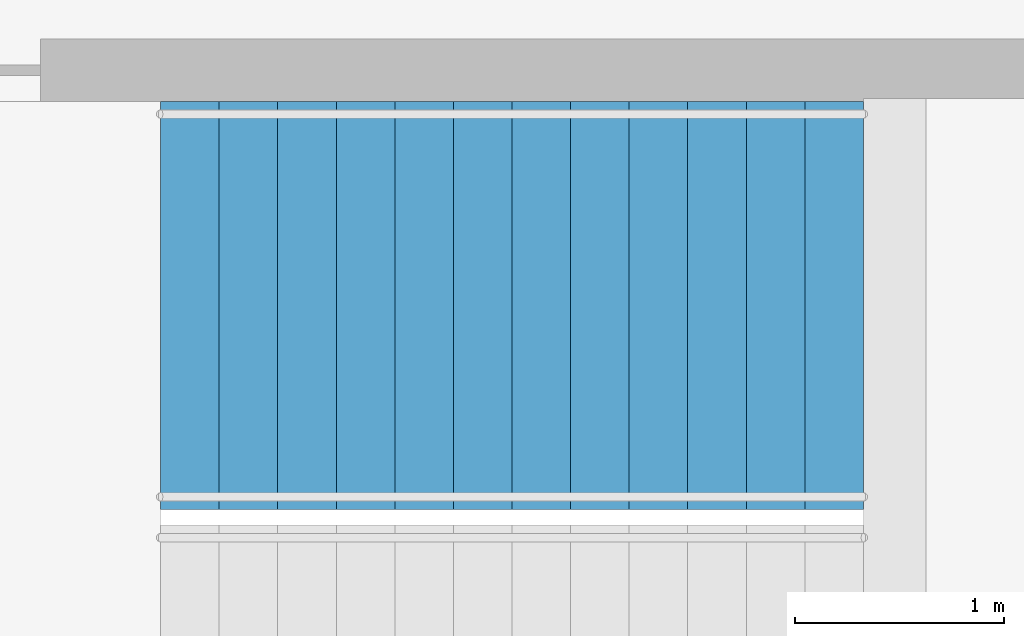
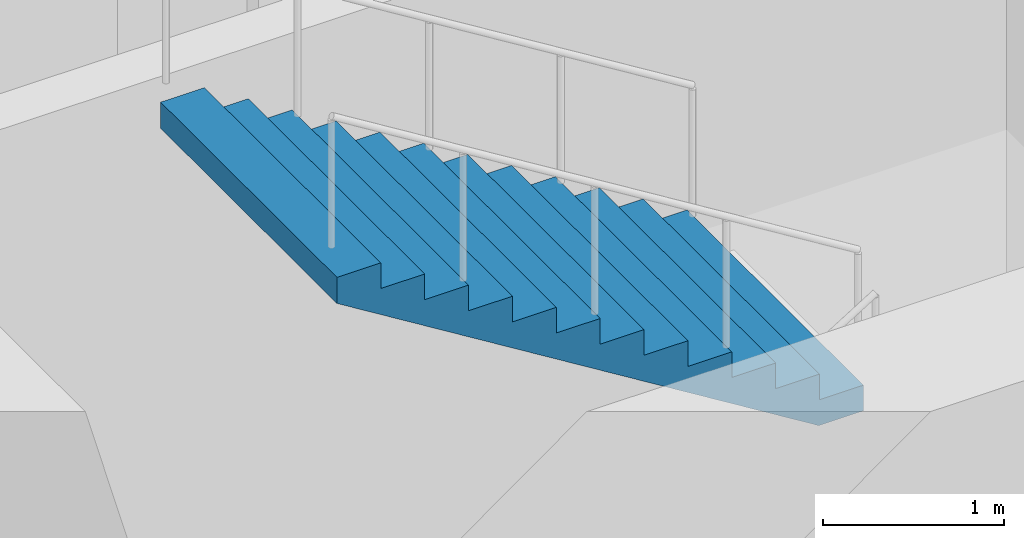
# One storey, part 20 of 32: 1 stair flight, 1 element without a shape of its own.
"""IFC4 building model written with IfcOpenShell, lengths in metres."""

import ifcopenshell
import ifcopenshell.guid

model = None  # the IFC model being written
_history = None  # IfcOwnerHistory: only IFC2X3 demands one
_inside = {}  # id of a spatial element -> (the spatial element, [elements in it])
_under = {}  # id of a project, library or spatial element -> (it, [spatial elements below it])
_declared = {}  # id of a project -> (the project, [libraries it declares])
_typed = {}  # id of a type object -> (the type object, [elements of that type])
_made_of = {}  # id of a material, layer set ... -> (it, [elements and type objects made of it])


def new_model(schema):
    """Start an empty IFC model of exactly this schema.

    Asked for "IFC4X3", IfcOpenShell would pick the latest addendum, in which some entities
    have other attributes; the version numbers below select the first issue.
    IFC2X3 requires an IfcOwnerHistory on every rooted entity: one is made here for all.
    """
    global model, _history
    if schema == "IFC4X3":
        model = ifcopenshell.file(schema_version=(4, 3, 0, 0))
    else:
        model = ifcopenshell.file(schema=schema)
    _inside.clear()
    _under.clear()
    _declared.clear()
    _typed.clear()
    _made_of.clear()
    _history = None
    if model.schema == "IFC2X3":
        org = make("IfcOrganization", Name="unknown")
        user = make(
            "IfcPersonAndOrganization",
            ThePerson=make("IfcPerson", FamilyName="unknown"),
            TheOrganization=org,
        )
        app = make(
            "IfcApplication",
            ApplicationDeveloper=org,
            Version="unknown",
            ApplicationFullName="unknown",
            ApplicationIdentifier="unknown",
        )
        _history = make(
            "IfcOwnerHistory",
            OwningUser=user,
            OwningApplication=app,
            ChangeAction="ADDED",
            CreationDate=0,
        )
    return model


def make(cls, **values):
    """One entity of the class cls with the attributes given. An attribute that is None is left unset."""
    return model.create_entity(
        cls, **{name: value for name, value in values.items() if value is not None}
    )


def rooted(cls, **values):
    """An entity with a GlobalId (a new one), such as an element, a storey or a relation."""
    return make(cls, GlobalId=ifcopenshell.guid.new(), OwnerHistory=_history, **values)


def si_unit(unit_type, name, prefix=None):
    """IfcSIUnit, for example si_unit("LENGTHUNIT", "METRE", prefix="MILLI")."""
    return make("IfcSIUnit", UnitType=unit_type, Prefix=prefix, Name=name)


def assignment(units):
    """IfcUnitAssignment: the units of a project."""
    return None if units is None else make("IfcUnitAssignment", Units=units)


def point(xyz):
    """IfcCartesianPoint."""
    return None if xyz is None else make("IfcCartesianPoint", Coordinates=xyz)


def direction(xyz):
    """IfcDirection."""
    return None if xyz is None else make("IfcDirection", DirectionRatios=xyz)


def frame(location, z_axis=None, x_axis=None):
    """IfcAxis2Placement3D, a coordinate frame: its origin and axes. An axis left out is left unset."""
    return make(
        "IfcAxis2Placement3D",
        Location=point(location),
        Axis=direction(z_axis),
        RefDirection=direction(x_axis),
    )


def origin():
    """The frame at (0, 0, 0) with its axes left unset."""
    return frame((0.0, 0.0, 0.0))


def place(relative_to, where):
    """IfcLocalPlacement: puts the frame where relative to a parent placement (None: the world)."""
    return make(
        "IfcLocalPlacement", PlacementRelTo=relative_to, RelativePlacement=where
    )


def context(
    kind, dimensions, precision=None, world=None, true_north=None, identifier=None
):
    """IfcGeometricRepresentationContext, for example the 3D "Model" context."""
    return make(
        "IfcGeometricRepresentationContext",
        ContextIdentifier=identifier,
        ContextType=kind,
        CoordinateSpaceDimension=dimensions,
        Precision=precision,
        WorldCoordinateSystem=world,
        TrueNorth=true_north,
    )


def subcontext(parent, identifier, kind, view, scale=None):
    """IfcGeometricRepresentationSubContext, for example "Body" below "Model"."""
    return make(
        "IfcGeometricRepresentationSubContext",
        ContextIdentifier=identifier,
        ContextType=kind,
        ParentContext=parent,
        TargetScale=scale,
        TargetView=view,
    )


def project(units=None, contexts=None):
    """IfcProject with its units and contexts."""
    return rooted(
        "IfcProject",
        Name="project",
        RepresentationContexts=contexts,
        UnitsInContext=assignment(units),
    )


def spatial(cls, under=None, at=None, **own):
    """A site, building, storey or space (cls), placed at a placement, below another one or the project."""
    s = rooted(cls, ObjectPlacement=at, **own)
    if under is not None:
        _under.setdefault(under.id(), (under, []))[1].append(s)
    return s


def point_list(points):
    """IfcCartesianPointList2D or 3D."""
    cls = (
        "IfcCartesianPointList2D" if len(points[0]) == 2 else "IfcCartesianPointList3D"
    )
    return make(cls, CoordList=points)


def triangles(points, corners, closed=None, point_numbers=None):
    """IfcTriangulatedFaceSet: each triangle names its three corners, points numbered from 1."""
    return make(
        "IfcTriangulatedFaceSet",
        Coordinates=point_list(points),
        Closed=closed,
        CoordIndex=corners,
        PnIndex=point_numbers,
    )


def shape(context_of_items, identifier, shape_type, items):
    """IfcShapeRepresentation: the items that make up one representation, for example the "Body"."""
    return make(
        "IfcShapeRepresentation",
        ContextOfItems=context_of_items,
        RepresentationIdentifier=identifier,
        RepresentationType=shape_type,
        Items=items,
    )


def material(Name=None, Category=None):
    """IfcMaterial."""
    return make("IfcMaterial", Name=Name, Category=Category)


def made_of(thing, what):
    """Note that an element or type object is made of a material, layer set ...; save() writes the relation."""
    if what is not None:
        _made_of.setdefault(what.id(), (what, []))[1].append(thing)
    return thing


def type_object(cls, material=None, **own):
    """A type object (cls), such as IfcWallType, which elements share."""
    return made_of(rooted(cls, **own), material)


def element(
    cls,
    number,
    at=None,
    inside=None,
    cuts=None,
    type_object=None,
    material=None,
    context=None,
    identifier="Body",
    shape_type=None,
    held_by="IfcProductDefinitionShape",
    body=None,
    shapes=None,
    **own,
):
    """One element of the class cls, such as IfcWall. Its Tag is "e" and its number.

    at: its placement. inside: the storey or other place that contains it. cuts: it is an
    opening in that element (IfcRelVoidsElement). A single representation is given by context,
    identifier, shape_type and body (its items); several are given by shapes. held_by: the class
    of the entity that holds the representations. save() writes the other relations.
    """
    e = rooted(cls, Tag="e%d" % number, ObjectPlacement=at, **own)
    if body is not None:
        shapes = [shape(context, identifier, shape_type, body)]
    if shapes is not None:
        e.Representation = make(held_by, Representations=shapes)
    if inside is not None:
        _inside.setdefault(inside.id(), (inside, []))[1].append(e)
    if cuts is not None:
        rooted(
            "IfcRelVoidsElement", RelatingBuildingElement=cuts, RelatedOpeningElement=e
        )
    if type_object is not None:
        _typed.setdefault(type_object.id(), (type_object, []))[1].append(e)
    return made_of(e, material)


def aggregate(whole, parts):
    """IfcRelAggregates: a whole, such as a stair, and the parts it consists of."""
    return rooted("IfcRelAggregates", RelatingObject=whole, RelatedObjects=parts)


def save(model, path):
    """Write the relations noted so far, then the file.

    IfcRelAggregates (storeys below a building ...), IfcRelContainedInSpatialStructure (elements
    in a storey), IfcRelDefinesByType, IfcRelAssociatesMaterial and IfcRelDeclares: one each for
    every whole, place, type object, material and project.
    """
    for whole, parts in _under.values():
        aggregate(whole, parts)
    for where, things in _inside.values():
        rooted(
            "IfcRelContainedInSpatialStructure",
            RelatedElements=things,
            RelatingStructure=where,
        )
    for kind, things in _typed.values():
        rooted("IfcRelDefinesByType", RelatedObjects=things, RelatingType=kind)
    for what, things in _made_of.values():
        rooted("IfcRelAssociatesMaterial", RelatedObjects=things, RelatingMaterial=what)
    for by, libraries in _declared.values():
        rooted("IfcRelDeclares", RelatingContext=by, RelatedDefinitions=libraries)
    model.write(path)


model = new_model("IFC4")

# Units and contexts
model_context = context("Model", 3, precision=1e-05, world=origin(), true_north=direction((0.0, 1.0)))
body_context = subcontext(model_context, "Body", "Model", "MODEL_VIEW")
ifc_project = project(units=[si_unit("LENGTHUNIT", "METRE"), si_unit("AREAUNIT", "SQUARE_METRE"), si_unit("VOLUMEUNIT", "CUBIC_METRE"), si_unit("PLANEANGLEUNIT", "RADIAN"), si_unit("MASSUNIT", "GRAM", prefix="KILO")], contexts=[model_context])

# Site, building, storey
site_placement = place(None, origin())
site = spatial("IfcSite", under=ifc_project, at=site_placement, CompositionType="ELEMENT")
building_placement = place(site_placement, origin())
building = spatial("IfcBuilding", under=site, at=building_placement, Name="Orbita Commons", CompositionType="ELEMENT")
storey_placement = place(building_placement, frame((0.0, 0.0, 140.35009765625)))
storey = spatial("IfcBuildingStorey", under=building, at=storey_placement, Name="L34", CompositionType="ELEMENT", Elevation=140.35009765625)

# Stair, stair flight
ifc_material_1 = material(Name="Precast concrete C40/50", Category="concrete")
stair_type = type_object("IfcStairType", Name="Exit stair S1 2 flights 13 risers 173", PredefinedType="HALF_TURN_STAIR", material=ifc_material_1)
stair_placement = place(storey_placement, origin())
stair = element("IfcStair", 1, at=stair_placement, inside=storey, type_object=stair_type, Name="Exit stair S1 L34", PredefinedType="HALF_TURN_STAIR")
ifc_material_2 = material(Name="Precast concrete C40/50", Category="concrete")
stair_flight_type = type_object("IfcStairFlightType", Name="Stair flight 13 risers 173 x 280", PredefinedType="STRAIGHT", material=ifc_material_2)
stair_flight_placement = place(storey_placement, frame((23.81005859375, 29.27490234375, 2.25), z_axis=(0.0, 0.0, 1.0), x_axis=(-1.0, 0.0, 0.0)))
stair_flight = element("IfcStairFlight", 2, at=stair_flight_placement, type_object=stair_flight_type, Name="S1 flight 2", NumberOfRisers=13, NumberOfTreads=12, PredefinedType="STRAIGHT", RiserHeight=0.173076923, TreadLength=0.28, context=body_context, shape_type="Tessellation", body=[
    triangles([(0.0, 0.974976, 0.0), (0.0, 0.974976, 0.021635), (0.0, 0.81248, 0.021635), (0.0, 0.81248, 0.0), (0.0, 0.649984, 0.021635), (0.0, 0.649984, 0.0), (0.0, 0.487488, 0.021635), (0.0, 0.487488, 0.0), (0.0, 0.324992, 0.021635), (0.0, 0.324992, 0.0), (0.0, 0.162496, 0.021635), (0.0, 0.162496, 0.0), (0.0, 0.0, 0.021635), (0.0, 0.0, 0.0), (0.0, -0.162496, 0.021635), (0.0, -0.162496, 0.0), (0.0, -0.324992, 0.021635), (0.0, -0.324992, 0.0), (0.0, -0.487488, 0.021635), (0.0, -0.487488, 0.0), (0.0, -0.649984, 0.021635), (0.0, -0.649984, 0.0), (0.0, -0.81248, 0.021635), (0.0, -0.81248, 0.0), (0.0, -0.974976, 0.021635), (0.0, -0.974976, 0.0), (0.0, 0.974976, 0.043269), (0.0, 0.81248, 0.043269), (0.0, 0.649984, 0.043269), (0.0, 0.487488, 0.043269), (0.0, 0.324992, 0.043269), (0.0, 0.162496, 0.043269), (0.0, 0.0, 0.043269), (0.0, -0.162496, 0.043269), (0.0, -0.324992, 0.043269), (0.0, -0.487488, 0.043269), (0.0, -0.649984, 0.043269), (0.0, -0.81248, 0.043269), (0.0, -0.974976, 0.043269), (0.0, 0.974976, 0.064904), (0.0, 0.81248, 0.064904), (0.0, 0.649984, 0.064904), (0.0, 0.487488, 0.064904), (0.0, 0.324992, 0.064904), (0.0, 0.162496, 0.064904), (0.0, 0.0, 0.064904), (0.0, -0.162496, 0.064904), (0.0, -0.324992, 0.064904), (0.0, -0.487488, 0.064904), (0.0, -0.649984, 0.064904), (0.0, -0.81248, 0.064904), (0.0, -0.974976, 0.064904), (0.0, 0.974976, 0.086538), (0.0, 0.81248, 0.086538), (0.0, 0.649984, 0.086538), (0.0, 0.487488, 0.086538), (0.0, 0.324992, 0.086538), (0.0, 0.162496, 0.086538), (0.0, 0.0, 0.086538), (0.0, -0.162496, 0.086538), (0.0, -0.324992, 0.086538), (0.0, -0.487488, 0.086538), (0.0, -0.649984, 0.086538), (0.0, -0.81248, 0.086538), (0.0, -0.974976, 0.086538), (0.0, 0.974976, 0.108173), (0.0, 0.81248, 0.108173), (0.0, 0.649984, 0.108173), (0.0, 0.487488, 0.108173), (0.0, 0.324992, 0.108173), (0.0, 0.162496, 0.108173), (0.0, 0.0, 0.108173), (0.0, -0.162496, 0.108173), (0.0, -0.324992, 0.108173), (0.0, -0.487488, 0.108173), (0.0, -0.649984, 0.108173), (0.0, -0.81248, 0.108173), (0.0, -0.974976, 0.108173), (0.0, 0.974976, 0.129808), (0.0, 0.81248, 0.129808), (0.0, 0.649984, 0.129808), (0.0, 0.487488, 0.129808), (0.0, 0.324992, 0.129808), (0.0, 0.162496, 0.129808), (0.0, 0.0, 0.129808), (0.0, -0.162496, 0.129808), (0.0, -0.324992, 0.129808), (0.0, -0.487488, 0.129808), (0.0, -0.649984, 0.129808), (0.0, -0.81248, 0.129808), (0.0, -0.974976, 0.129808), (0.0, 0.974976, 0.151442), (0.0, 0.81248, 0.151442), (0.0, 0.649984, 0.151442), (0.0, 0.487488, 0.151442), (0.0, 0.324992, 0.151442), (0.0, 0.162496, 0.151442), (0.0, 0.0, 0.151442), (0.0, -0.162496, 0.151442), (0.0, -0.324992, 0.151442), (0.0, -0.487488, 0.151442), (0.0, -0.649984, 0.151442), (0.0, -0.81248, 0.151442), (0.0, -0.974976, 0.151442), (0.0, 0.974976, 0.173077), (0.0, 0.81248, 0.173077), (0.0, 0.649984, 0.173077), (0.0, 0.487488, 0.173077), (0.0, 0.324992, 0.173077), (0.0, 0.162496, 0.173077), (0.0, 0.0, 0.173077), (0.0, -0.162496, 0.173077), (0.0, -0.324992, 0.173077), (0.0, -0.487488, 0.173077), (0.0, -0.649984, 0.173077), (0.0, -0.81248, 0.173077), (0.0, -0.974976, 0.173077), (0.28, 0.974976, 0.173077), (0.28, 0.81248, 0.173077), (0.28, 0.649984, 0.173077), (0.28, 0.487488, 0.173077), (0.28, 0.324992, 0.173077), (0.28, 0.162496, 0.173077), (0.28, 0.0, 0.173077), (0.28, -0.162496, 0.173077), (0.28, -0.324992, 0.173077), (0.28, -0.487488, 0.173077), (0.28, -0.649984, 0.173077), (0.28, -0.81248, 0.173077), (0.28, -0.974976, 0.173077), (0.28, 0.974976, 0.346154), (0.28, 0.81248, 0.346154), (0.28, 0.649984, 0.346154), (0.28, 0.487488, 0.346154), (0.28, 0.324992, 0.346154), (0.28, 0.162496, 0.346154), (0.28, 0.0, 0.346154), (0.28, -0.162496, 0.346154), (0.28, -0.324992, 0.346154), (0.28, -0.487488, 0.346154), (0.28, -0.649984, 0.346154), (0.28, -0.81248, 0.346154), (0.28, -0.974976, 0.346154), (0.56, 0.974976, 0.346154), (0.56, 0.81248, 0.346154), (0.56, 0.649984, 0.346154), (0.56, 0.487488, 0.346154), (0.56, 0.324992, 0.346154), (0.56, 0.162496, 0.346154), (0.56, 0.0, 0.346154), (0.56, -0.162496, 0.346154), (0.56, -0.324992, 0.346154), (0.56, -0.487488, 0.346154), (0.56, -0.649984, 0.346154), (0.56, -0.81248, 0.346154), (0.56, -0.974976, 0.346154), (0.56, 0.974976, 0.519231), (0.56, 0.81248, 0.519231), (0.56, 0.649984, 0.519231), (0.56, 0.487488, 0.519231), (0.56, 0.324992, 0.519231), (0.56, 0.162496, 0.519231), (0.56, 0.0, 0.519231), (0.56, -0.162496, 0.519231), (0.56, -0.324992, 0.519231), (0.56, -0.487488, 0.519231), (0.56, -0.649984, 0.519231), (0.56, -0.81248, 0.519231), (0.56, -0.974976, 0.519231), (0.84, 0.974976, 0.519231), (0.84, 0.81248, 0.519231), (0.84, 0.649984, 0.519231), (0.84, 0.487488, 0.519231), (0.84, 0.324992, 0.519231), (0.84, 0.162496, 0.519231), (0.84, 0.0, 0.519231), (0.84, -0.162496, 0.519231), (0.84, -0.324992, 0.519231), (0.84, -0.487488, 0.519231), (0.84, -0.649984, 0.519231), (0.84, -0.81248, 0.519231), (0.84, -0.974976, 0.519231), (0.84, 0.974976, 0.692308), (0.84, 0.81248, 0.692308), (0.84, 0.649984, 0.692308), (0.84, 0.487488, 0.692308), (0.84, 0.324992, 0.692308), (0.84, 0.162496, 0.692308), (0.84, 0.0, 0.692308), (0.84, -0.162496, 0.692308), (0.84, -0.324992, 0.692308), (0.84, -0.487488, 0.692308), (0.84, -0.649984, 0.692308), (0.84, -0.81248, 0.692308), (0.84, -0.974976, 0.692308), (1.12, 0.974976, 0.692308), (1.12, 0.81248, 0.692308), (1.12, 0.649984, 0.692308), (1.12, 0.487488, 0.692308), (1.12, 0.324992, 0.692308), (1.12, 0.162496, 0.692308), (1.12, 0.0, 0.692308), (1.12, -0.162496, 0.692308), (1.12, -0.324992, 0.692308), (1.12, -0.487488, 0.692308), (1.12, -0.649984, 0.692308), (1.12, -0.81248, 0.692308), (1.12, -0.974976, 0.692308), (1.12, 0.974976, 0.865385), (1.12, 0.81248, 0.865385), (1.12, 0.649984, 0.865385), (1.12, 0.487488, 0.865385), (1.12, 0.324992, 0.865385), (1.12, 0.162496, 0.865385), (1.12, 0.0, 0.865385), (1.12, -0.162496, 0.865385), (1.12, -0.324992, 0.865385), (1.12, -0.487488, 0.865385), (1.12, -0.649984, 0.865385), (1.12, -0.81248, 0.865385), (1.12, -0.974976, 0.865385), (1.4, 0.974976, 0.865385), (1.4, 0.81248, 0.865385), (1.4, 0.649984, 0.865385), (1.4, 0.487488, 0.865385), (1.4, 0.324992, 0.865385), (1.4, 0.162496, 0.865385), (1.4, 0.0, 0.865385), (1.4, -0.162496, 0.865385), (1.4, -0.324992, 0.865385), (1.4, -0.487488, 0.865385), (1.4, -0.649984, 0.865385), (1.4, -0.81248, 0.865385), (1.4, -0.974976, 0.865385), (1.4, 0.974976, 1.038462), (1.4, 0.81248, 1.038462), (1.4, 0.649984, 1.038462), (1.4, 0.487488, 1.038462), (1.4, 0.324992, 1.038462), (1.4, 0.162496, 1.038462), (1.4, 0.0, 1.038462), (1.4, -0.162496, 1.038462), (1.4, -0.324992, 1.038462), (1.4, -0.487488, 1.038462), (1.4, -0.649984, 1.038462), (1.4, -0.81248, 1.038462), (1.4, -0.974976, 1.038462), (1.68, 0.974976, 1.038462), (1.68, 0.81248, 1.038462), (1.68, 0.649984, 1.038462), (1.68, 0.487488, 1.038462), (1.68, 0.324992, 1.038462), (1.68, 0.162496, 1.038462), (1.68, 0.0, 1.038462), (1.68, -0.162496, 1.038462), (1.68, -0.324992, 1.038462), (1.68, -0.487488, 1.038462), (1.68, -0.649984, 1.038462), (1.68, -0.81248, 1.038462), (1.68, -0.974976, 1.038462), (1.68, 0.974976, 1.211538), (1.68, 0.81248, 1.211538), (1.68, 0.649984, 1.211538), (1.68, 0.487488, 1.211538), (1.68, 0.324992, 1.211538), (1.68, 0.162496, 1.211538), (1.68, 0.0, 1.211538), (1.68, -0.162496, 1.211538), (1.68, -0.324992, 1.211538), (1.68, -0.487488, 1.211538), (1.68, -0.649984, 1.211538), (1.68, -0.81248, 1.211538), (1.68, -0.974976, 1.211538), (1.96, 0.974976, 1.211538), (1.96, 0.81248, 1.211538), (1.96, 0.649984, 1.211538), (1.96, 0.487488, 1.211538), (1.96, 0.324992, 1.211538), (1.96, 0.162496, 1.211538), (1.96, 0.0, 1.211538), (1.96, -0.162496, 1.211538), (1.96, -0.324992, 1.211538), (1.96, -0.487488, 1.211538), (1.96, -0.649984, 1.211538), (1.96, -0.81248, 1.211538), (1.96, -0.974976, 1.211538), (1.96, 0.974976, 1.384615), (1.96, 0.81248, 1.384615), (1.96, 0.649984, 1.384615), (1.96, 0.487488, 1.384615), (1.96, 0.324992, 1.384615), (1.96, 0.162496, 1.384615), (1.96, 0.0, 1.384615), (1.96, -0.162496, 1.384615), (1.96, -0.324992, 1.384615), (1.96, -0.487488, 1.384615), (1.96, -0.649984, 1.384615), (1.96, -0.81248, 1.384615), (1.96, -0.974976, 1.384615), (2.24, 0.974976, 1.384615), (2.24, 0.81248, 1.384615), (2.24, 0.649984, 1.384615), (2.24, 0.487488, 1.384615), (2.24, 0.324992, 1.384615), (2.24, 0.162496, 1.384615), (2.24, 0.0, 1.384615), (2.24, -0.162496, 1.384615), (2.24, -0.324992, 1.384615), (2.24, -0.487488, 1.384615), (2.24, -0.649984, 1.384615), (2.24, -0.81248, 1.384615), (2.24, -0.974976, 1.384615), (2.24, 0.974976, 1.557692), (2.24, 0.81248, 1.557692), (2.24, 0.649984, 1.557692), (2.24, 0.487488, 1.557692), (2.24, 0.324992, 1.557692), (2.24, 0.162496, 1.557692), (2.24, 0.0, 1.557692), (2.24, -0.162496, 1.557692), (2.24, -0.324992, 1.557692), (2.24, -0.487488, 1.557692), (2.24, -0.649984, 1.557692), (2.24, -0.81248, 1.557692), (2.24, -0.974976, 1.557692), (2.52, 0.974976, 1.557692), (2.52, 0.81248, 1.557692), (2.52, 0.649984, 1.557692), (2.52, 0.487488, 1.557692), (2.52, 0.324992, 1.557692), (2.52, 0.162496, 1.557692), (2.52, 0.0, 1.557692), (2.52, -0.162496, 1.557692), (2.52, -0.324992, 1.557692), (2.52, -0.487488, 1.557692), (2.52, -0.649984, 1.557692), (2.52, -0.81248, 1.557692), (2.52, -0.974976, 1.557692), (2.52, 0.974976, 1.730769), (2.52, 0.81248, 1.730769), (2.52, 0.649984, 1.730769), (2.52, 0.487488, 1.730769), (2.52, 0.324992, 1.730769), (2.52, 0.162496, 1.730769), (2.52, 0.0, 1.730769), (2.52, -0.162496, 1.730769), (2.52, -0.324992, 1.730769), (2.52, -0.487488, 1.730769), (2.52, -0.649984, 1.730769), (2.52, -0.81248, 1.730769), (2.52, -0.974976, 1.730769), (2.8, 0.974976, 1.730769), (2.8, 0.81248, 1.730769), (2.8, 0.649984, 1.730769), (2.8, 0.487488, 1.730769), (2.8, 0.324992, 1.730769), (2.8, 0.162496, 1.730769), (2.8, 0.0, 1.730769), (2.8, -0.162496, 1.730769), (2.8, -0.324992, 1.730769), (2.8, -0.487488, 1.730769), (2.8, -0.649984, 1.730769), (2.8, -0.81248, 1.730769), (2.8, -0.974976, 1.730769), (2.8, 0.974976, 1.903846), (2.8, 0.81248, 1.903846), (2.8, 0.649984, 1.903846), (2.8, 0.487488, 1.903846), (2.8, 0.324992, 1.903846), (2.8, 0.162496, 1.903846), (2.8, 0.0, 1.903846), (2.8, -0.162496, 1.903846), (2.8, -0.324992, 1.903846), (2.8, -0.487488, 1.903846), (2.8, -0.649984, 1.903846), (2.8, -0.81248, 1.903846), (2.8, -0.974976, 1.903846), (3.08, 0.974976, 1.903846), (3.08, 0.81248, 1.903846), (3.08, 0.649984, 1.903846), (3.08, 0.487488, 1.903846), (3.08, 0.324992, 1.903846), (3.08, 0.162496, 1.903846), (3.08, 0.0, 1.903846), (3.08, -0.162496, 1.903846), (3.08, -0.324992, 1.903846), (3.08, -0.487488, 1.903846), (3.08, -0.649984, 1.903846), (3.08, -0.81248, 1.903846), (3.08, -0.974976, 1.903846), (3.08, 0.974976, 2.076923), (3.08, 0.81248, 2.076923), (3.08, 0.649984, 2.076923), (3.08, 0.487488, 2.076923), (3.08, 0.324992, 2.076923), (3.08, 0.162496, 2.076923), (3.08, 0.0, 2.076923), (3.08, -0.162496, 2.076923), (3.08, -0.324992, 2.076923), (3.08, -0.487488, 2.076923), (3.08, -0.649984, 2.076923), (3.08, -0.81248, 2.076923), (3.08, -0.974976, 2.076923), (3.36, 0.974976, 2.076923), (3.36, 0.81248, 2.076923), (3.36, 0.649984, 2.076923), (3.36, 0.487488, 2.076923), (3.36, 0.324992, 2.076923), (3.36, 0.162496, 2.076923), (3.36, 0.0, 2.076923), (3.36, -0.162496, 2.076923), (3.36, -0.324992, 2.076923), (3.36, -0.487488, 2.076923), (3.36, -0.649984, 2.076923), (3.36, -0.81248, 2.076923), (3.36, -0.974976, 2.076923), (3.36, 0.974976, 2.054895), (3.36, 0.81248, 2.054895), (3.36, 0.649984, 2.054895), (3.36, 0.487488, 2.054895), (3.36, 0.324992, 2.054895), (3.36, 0.162496, 2.054895), (3.36, 0.0, 2.054895), (3.36, -0.162496, 2.054895), (3.36, -0.324992, 2.054895), (3.36, -0.487488, 2.054895), (3.36, -0.649984, 2.054895), (3.36, -0.81248, 2.054895), (3.36, -0.974976, 2.054895), (3.36, 0.974976, 2.032866), (3.36, 0.81248, 2.032866), (3.36, 0.649984, 2.032866), (3.36, 0.487488, 2.032866), (3.36, 0.324992, 2.032866), (3.36, 0.162496, 2.032866), (3.36, 0.0, 2.032866), (3.36, -0.162496, 2.032866), (3.36, -0.324992, 2.032866), (3.36, -0.487488, 2.032866), (3.36, -0.649984, 2.032866), (3.36, -0.81248, 2.032866), (3.36, -0.974976, 2.032866), (3.36, 0.974976, 2.010837), (3.36, 0.81248, 2.010837), (3.36, 0.649984, 2.010837), (3.36, 0.487488, 2.010837), (3.36, 0.324992, 2.010837), (3.36, 0.162496, 2.010837), (3.36, 0.0, 2.010837), (3.36, -0.162496, 2.010837), (3.36, -0.324992, 2.010837), (3.36, -0.487488, 2.010837), (3.36, -0.649984, 2.010837), (3.36, -0.81248, 2.010837), (3.36, -0.974976, 2.010837), (3.36, 0.974976, 1.988809), (3.36, 0.81248, 1.988809), (3.36, 0.649984, 1.988809), (3.36, 0.487488, 1.988809), (3.36, 0.324992, 1.988809), (3.36, 0.162496, 1.988809), (3.36, 0.0, 1.988809), (3.36, -0.162496, 1.988809), (3.36, -0.324992, 1.988809), (3.36, -0.487488, 1.988809), (3.36, -0.649984, 1.988809), (3.36, -0.81248, 1.988809), (3.36, -0.974976, 1.988809), (3.36, 0.974976, 1.96678), (3.36, 0.81248, 1.96678), (3.36, 0.649984, 1.96678), (3.36, 0.487488, 1.96678), (3.36, 0.324992, 1.96678), (3.36, 0.162496, 1.96678), (3.36, 0.0, 1.96678), (3.36, -0.162496, 1.96678), (3.36, -0.324992, 1.96678), (3.36, -0.487488, 1.96678), (3.36, -0.649984, 1.96678), (3.36, -0.81248, 1.96678), (3.36, -0.974976, 1.96678), (3.36, 0.974976, 1.944752), (3.36, 0.81248, 1.944752), (3.36, 0.649984, 1.944752), (3.36, 0.487488, 1.944752), (3.36, 0.324992, 1.944752), (3.36, 0.162496, 1.944752), (3.36, 0.0, 1.944752), (3.36, -0.162496, 1.944752), (3.36, -0.324992, 1.944752), (3.36, -0.487488, 1.944752), (3.36, -0.649984, 1.944752), (3.36, -0.81248, 1.944752), (3.36, -0.974976, 1.944752), (3.36, 0.974976, 1.922723), (3.36, 0.81248, 1.922723), (3.36, 0.649984, 1.922723), (3.36, 0.487488, 1.922723), (3.36, 0.324992, 1.922723), (3.36, 0.162496, 1.922723), (3.36, 0.0, 1.922723), (3.36, -0.162496, 1.922723), (3.36, -0.324992, 1.922723), (3.36, -0.487488, 1.922723), (3.36, -0.649984, 1.922723), (3.36, -0.81248, 1.922723), (3.36, -0.974976, 1.922723), (3.36, 0.974976, 1.900695), (3.36, 0.81248, 1.900695), (3.36, 0.649984, 1.900695), (3.36, 0.487488, 1.900695), (3.36, 0.324992, 1.900695), (3.36, 0.162496, 1.900695), (3.36, 0.0, 1.900695), (3.36, -0.162496, 1.900695), (3.36, -0.324992, 1.900695), (3.36, -0.487488, 1.900695), (3.36, -0.649984, 1.900695), (3.36, -0.81248, 1.900695), (3.36, -0.974976, 1.900695), (0.285099, 0.974976, 0.0), (0.285099, 0.81248, 0.0), (0.285099, 0.649984, 0.0), (0.285099, 0.487488, 0.0), (0.285099, 0.324992, 0.0), (0.285099, 0.162496, 0.0), (0.285099, 0.0, 0.0), (0.285099, -0.162496, 0.0), (0.285099, -0.324992, 0.0), (0.285099, -0.487488, 0.0), (0.285099, -0.649984, 0.0), (0.285099, -0.81248, 0.0), (0.285099, -0.974976, 0.0)], [[3, 2, 1], [4, 3, 1], [5, 3, 4], [6, 5, 4], [7, 5, 6], [8, 7, 6], [9, 7, 8], [10, 9, 8], [11, 9, 10], [12, 11, 10], [13, 11, 12], [14, 13, 12], [15, 13, 14], [16, 15, 14], [17, 15, 16], [18, 17, 16], [19, 17, 18], [20, 19, 18], [21, 19, 20], [22, 21, 20], [23, 21, 22], [24, 23, 22], [25, 23, 24], [26, 25, 24], [28, 27, 2], [3, 28, 2], [29, 28, 3], [5, 29, 3], [30, 29, 5], [7, 30, 5], [31, 30, 7], [9, 31, 7], [32, 31, 9], [11, 32, 9], [33, 32, 11], [13, 33, 11], [34, 33, 13], [15, 34, 13], [35, 34, 15], [17, 35, 15], [36, 35, 17], [19, 36, 17], [37, 36, 19], [21, 37, 19], [38, 37, 21], [23, 38, 21], [39, 38, 23], [25, 39, 23], [41, 40, 27], [28, 41, 27], [42, 41, 28], [29, 42, 28], [43, 42, 29], [30, 43, 29], [44, 43, 30], [31, 44, 30], [45, 44, 31], [32, 45, 31], [46, 45, 32], [33, 46, 32], [47, 46, 33], [34, 47, 33], [48, 47, 34], [35, 48, 34], [49, 48, 35], [36, 49, 35], [50, 49, 36], [37, 50, 36], [51, 50, 37], [38, 51, 37], [52, 51, 38], [39, 52, 38], [54, 53, 40], [41, 54, 40], [55, 54, 41], [42, 55, 41], [56, 55, 42], [43, 56, 42], [57, 56, 43], [44, 57, 43], [58, 57, 44], [45, 58, 44], [59, 58, 45], [46, 59, 45], [60, 59, 46], [47, 60, 46], [61, 60, 47], [48, 61, 47], [62, 61, 48], [49, 62, 48], [63, 62, 49], [50, 63, 49], [64, 63, 50], [51, 64, 50], [65, 64, 51], [52, 65, 51], [67, 66, 53], [54, 67, 53], [68, 67, 54], [55, 68, 54], [69, 68, 55], [56, 69, 55], [70, 69, 56], [57, 70, 56], [71, 70, 57], [58, 71, 57], [72, 71, 58], [59, 72, 58], [73, 72, 59], [60, 73, 59], [74, 73, 60], [61, 74, 60], [75, 74, 61], [62, 75, 61], [76, 75, 62], [63, 76, 62], [77, 76, 63], [64, 77, 63], [78, 77, 64], [65, 78, 64], [80, 79, 66], [67, 80, 66], [81, 80, 67], [68, 81, 67], [82, 81, 68], [69, 82, 68], [83, 82, 69], [70, 83, 69], [84, 83, 70], [71, 84, 70], [85, 84, 71], [72, 85, 71], [86, 85, 72], [73, 86, 72], [87, 86, 73], [74, 87, 73], [88, 87, 74], [75, 88, 74], [89, 88, 75], [76, 89, 75], [90, 89, 76], [77, 90, 76], [91, 90, 77], [78, 91, 77], [93, 92, 79], [80, 93, 79], [94, 93, 80], [81, 94, 80], [95, 94, 81], [82, 95, 81], [96, 95, 82], [83, 96, 82], [97, 96, 83], [84, 97, 83], [98, 97, 84], [85, 98, 84], [99, 98, 85], [86, 99, 85], [100, 99, 86], [87, 100, 86], [101, 100, 87], [88, 101, 87], [102, 101, 88], [89, 102, 88], [103, 102, 89], [90, 103, 89], [104, 103, 90], [91, 104, 90], [106, 105, 92], [93, 106, 92], [107, 106, 93], [94, 107, 93], [108, 107, 94], [95, 108, 94], [109, 108, 95], [96, 109, 95], [110, 109, 96], [97, 110, 96], [111, 110, 97], [98, 111, 97], [112, 111, 98], [99, 112, 98], [113, 112, 99], [100, 113, 99], [114, 113, 100], [101, 114, 100], [115, 114, 101], [102, 115, 101], [116, 115, 102], [103, 116, 102], [117, 116, 103], [104, 117, 103], [119, 118, 105], [106, 119, 105], [120, 119, 106], [107, 120, 106], [121, 120, 107], [108, 121, 107], [122, 121, 108], [109, 122, 108], [123, 122, 109], [110, 123, 109], [124, 123, 110], [111, 124, 110], [125, 124, 111], [112, 125, 111], [126, 125, 112], [113, 126, 112], [127, 126, 113], [114, 127, 113], [128, 127, 114], [115, 128, 114], [129, 128, 115], [116, 129, 115], [130, 129, 116], [117, 130, 116], [132, 131, 118], [119, 132, 118], [133, 132, 119], [120, 133, 119], [134, 133, 120], [121, 134, 120], [135, 134, 121], [122, 135, 121], [136, 135, 122], [123, 136, 122], [137, 136, 123], [124, 137, 123], [138, 137, 124], [125, 138, 124], [139, 138, 125], [126, 139, 125], [140, 139, 126], [127, 140, 126], [141, 140, 127], [128, 141, 127], [142, 141, 128], [129, 142, 128], [143, 142, 129], [130, 143, 129], [145, 144, 131], [132, 145, 131], [146, 145, 132], [133, 146, 132], [147, 146, 133], [134, 147, 133], [148, 147, 134], [135, 148, 134], [149, 148, 135], [136, 149, 135], [150, 149, 136], [137, 150, 136], [151, 150, 137], [138, 151, 137], [152, 151, 138], [139, 152, 138], [153, 152, 139], [140, 153, 139], [154, 153, 140], [141, 154, 140], [155, 154, 141], [142, 155, 141], [156, 155, 142], [143, 156, 142], [158, 157, 144], [145, 158, 144], [159, 158, 145], [146, 159, 145], [160, 159, 146], [147, 160, 146], [161, 160, 147], [148, 161, 147], [162, 161, 148], [149, 162, 148], [163, 162, 149], [150, 163, 149], [164, 163, 150], [151, 164, 150], [165, 164, 151], [152, 165, 151], [166, 165, 152], [153, 166, 152], [167, 166, 153], [154, 167, 153], [168, 167, 154], [155, 168, 154], [169, 168, 155], [156, 169, 155], [171, 170, 157], [158, 171, 157], [172, 171, 158], [159, 172, 158], [173, 172, 159], [160, 173, 159], [174, 173, 160], [161, 174, 160], [175, 174, 161], [162, 175, 161], [176, 175, 162], [163, 176, 162], [177, 176, 163], [164, 177, 163], [178, 177, 164], [165, 178, 164], [179, 178, 165], [166, 179, 165], [180, 179, 166], [167, 180, 166], [181, 180, 167], [168, 181, 167], [182, 181, 168], [169, 182, 168], [184, 183, 170], [171, 184, 170], [185, 184, 171], [172, 185, 171], [186, 185, 172], [173, 186, 172], [187, 186, 173], [174, 187, 173], [188, 187, 174], [175, 188, 174], [189, 188, 175], [176, 189, 175], [190, 189, 176], [177, 190, 176], [191, 190, 177], [178, 191, 177], [192, 191, 178], [179, 192, 178], [193, 192, 179], [180, 193, 179], [194, 193, 180], [181, 194, 180], [195, 194, 181], [182, 195, 181], [197, 196, 183], [184, 197, 183], [198, 197, 184], [185, 198, 184], [199, 198, 185], [186, 199, 185], [200, 199, 186], [187, 200, 186], [201, 200, 187], [188, 201, 187], [202, 201, 188], [189, 202, 188], [203, 202, 189], [190, 203, 189], [204, 203, 190], [191, 204, 190], [205, 204, 191], [192, 205, 191], [206, 205, 192], [193, 206, 192], [207, 206, 193], [194, 207, 193], [208, 207, 194], [195, 208, 194], [210, 209, 196], [197, 210, 196], [211, 210, 197], [198, 211, 197], [212, 211, 198], [199, 212, 198], [213, 212, 199], [200, 213, 199], [214, 213, 200], [201, 214, 200], [215, 214, 201], [202, 215, 201], [216, 215, 202], [203, 216, 202], [217, 216, 203], [204, 217, 203], [218, 217, 204], [205, 218, 204], [219, 218, 205], [206, 219, 205], [220, 219, 206], [207, 220, 206], [221, 220, 207], [208, 221, 207], [223, 222, 209], [210, 223, 209], [224, 223, 210], [211, 224, 210], [225, 224, 211], [212, 225, 211], [226, 225, 212], [213, 226, 212], [227, 226, 213], [214, 227, 213], [228, 227, 214], [215, 228, 214], [229, 228, 215], [216, 229, 215], [230, 229, 216], [217, 230, 216], [231, 230, 217], [218, 231, 217], [232, 231, 218], [219, 232, 218], [233, 232, 219], [220, 233, 219], [234, 233, 220], [221, 234, 220], [236, 235, 222], [223, 236, 222], [237, 236, 223], [224, 237, 223], [238, 237, 224], [225, 238, 224], [239, 238, 225], [226, 239, 225], [240, 239, 226], [227, 240, 226], [241, 240, 227], [228, 241, 227], [242, 241, 228], [229, 242, 228], [243, 242, 229], [230, 243, 229], [244, 243, 230], [231, 244, 230], [245, 244, 231], [232, 245, 231], [246, 245, 232], [233, 246, 232], [247, 246, 233], [234, 247, 233], [249, 248, 235], [236, 249, 235], [250, 249, 236], [237, 250, 236], [251, 250, 237], [238, 251, 237], [252, 251, 238], [239, 252, 238], [253, 252, 239], [240, 253, 239], [254, 253, 240], [241, 254, 240], [255, 254, 241], [242, 255, 241], [256, 255, 242], [243, 256, 242], [257, 256, 243], [244, 257, 243], [258, 257, 244], [245, 258, 244], [259, 258, 245], [246, 259, 245], [260, 259, 246], [247, 260, 246], [262, 261, 248], [249, 262, 248], [263, 262, 249], [250, 263, 249], [264, 263, 250], [251, 264, 250], [265, 264, 251], [252, 265, 251], [266, 265, 252], [253, 266, 252], [267, 266, 253], [254, 267, 253], [268, 267, 254], [255, 268, 254], [269, 268, 255], [256, 269, 255], [270, 269, 256], [257, 270, 256], [271, 270, 257], [258, 271, 257], [272, 271, 258], [259, 272, 258], [273, 272, 259], [260, 273, 259], [275, 274, 261], [262, 275, 261], [276, 275, 262], [263, 276, 262], [277, 276, 263], [264, 277, 263], [278, 277, 264], [265, 278, 264], [279, 278, 265], [266, 279, 265], [280, 279, 266], [267, 280, 266], [281, 280, 267], [268, 281, 267], [282, 281, 268], [269, 282, 268], [283, 282, 269], [270, 283, 269], [284, 283, 270], [271, 284, 270], [285, 284, 271], [272, 285, 271], [286, 285, 272], [273, 286, 272], [288, 287, 274], [275, 288, 274], [289, 288, 275], [276, 289, 275], [290, 289, 276], [277, 290, 276], [291, 290, 277], [278, 291, 277], [292, 291, 278], [279, 292, 278], [293, 292, 279], [280, 293, 279], [294, 293, 280], [281, 294, 280], [295, 294, 281], [282, 295, 281], [296, 295, 282], [283, 296, 282], [297, 296, 283], [284, 297, 283], [298, 297, 284], [285, 298, 284], [299, 298, 285], [286, 299, 285], [301, 300, 287], [288, 301, 287], [302, 301, 288], [289, 302, 288], [303, 302, 289], [290, 303, 289], [304, 303, 290], [291, 304, 290], [305, 304, 291], [292, 305, 291], [306, 305, 292], [293, 306, 292], [307, 306, 293], [294, 307, 293], [308, 307, 294], [295, 308, 294], [309, 308, 295], [296, 309, 295], [310, 309, 296], [297, 310, 296], [311, 310, 297], [298, 311, 297], [312, 311, 298], [299, 312, 298], [314, 313, 300], [301, 314, 300], [315, 314, 301], [302, 315, 301], [316, 315, 302], [303, 316, 302], [317, 316, 303], [304, 317, 303], [318, 317, 304], [305, 318, 304], [319, 318, 305], [306, 319, 305], [320, 319, 306], [307, 320, 306], [321, 320, 307], [308, 321, 307], [322, 321, 308], [309, 322, 308], [323, 322, 309], [310, 323, 309], [324, 323, 310], [311, 324, 310], [325, 324, 311], [312, 325, 311], [327, 326, 313], [314, 327, 313], [328, 327, 314], [315, 328, 314], [329, 328, 315], [316, 329, 315], [330, 329, 316], [317, 330, 316], [331, 330, 317], [318, 331, 317], [332, 331, 318], [319, 332, 318], [333, 332, 319], [320, 333, 319], [334, 333, 320], [321, 334, 320], [335, 334, 321], [322, 335, 321], [336, 335, 322], [323, 336, 322], [337, 336, 323], [324, 337, 323], [338, 337, 324], [325, 338, 324], [340, 339, 326], [327, 340, 326], [341, 340, 327], [328, 341, 327], [342, 341, 328], [329, 342, 328], [343, 342, 329], [330, 343, 329], [344, 343, 330], [331, 344, 330], [345, 344, 331], [332, 345, 331], [346, 345, 332], [333, 346, 332], [347, 346, 333], [334, 347, 333], [348, 347, 334], [335, 348, 334], [349, 348, 335], [336, 349, 335], [350, 349, 336], [337, 350, 336], [351, 350, 337], [338, 351, 337], [353, 352, 339], [340, 353, 339], [354, 353, 340], [341, 354, 340], [355, 354, 341], [342, 355, 341], [356, 355, 342], [343, 356, 342], [357, 356, 343], [344, 357, 343], [358, 357, 344], [345, 358, 344], [359, 358, 345], [346, 359, 345], [360, 359, 346], [347, 360, 346], [361, 360, 347], [348, 361, 347], [362, 361, 348], [349, 362, 348], [363, 362, 349], [350, 363, 349], [364, 363, 350], [351, 364, 350], [366, 365, 352], [353, 366, 352], [367, 366, 353], [354, 367, 353], [368, 367, 354], [355, 368, 354], [369, 368, 355], [356, 369, 355], [370, 369, 356], [357, 370, 356], [371, 370, 357], [358, 371, 357], [372, 371, 358], [359, 372, 358], [373, 372, 359], [360, 373, 359], [374, 373, 360], [361, 374, 360], [375, 374, 361], [362, 375, 361], [376, 375, 362], [363, 376, 362], [377, 376, 363], [364, 377, 363], [379, 378, 365], [366, 379, 365], [380, 379, 366], [367, 380, 366], [381, 380, 367], [368, 381, 367], [382, 381, 368], [369, 382, 368], [383, 382, 369], [370, 383, 369], [384, 383, 370], [371, 384, 370], [385, 384, 371], [372, 385, 371], [386, 385, 372], [373, 386, 372], [387, 386, 373], [374, 387, 373], [388, 387, 374], [375, 388, 374], [389, 388, 375], [376, 389, 375], [390, 389, 376], [377, 390, 376], [392, 391, 378], [379, 392, 378], [393, 392, 379], [380, 393, 379], [394, 393, 380], [381, 394, 380], [395, 394, 381], [382, 395, 381], [396, 395, 382], [383, 396, 382], [397, 396, 383], [384, 397, 383], [398, 397, 384], [385, 398, 384], [399, 398, 385], [386, 399, 385], [400, 399, 386], [387, 400, 386], [401, 400, 387], [388, 401, 387], [402, 401, 388], [389, 402, 388], [403, 402, 389], [390, 403, 389], [405, 404, 391], [392, 405, 391], [406, 405, 392], [393, 406, 392], [407, 406, 393], [394, 407, 393], [408, 407, 394], [395, 408, 394], [409, 408, 395], [396, 409, 395], [410, 409, 396], [397, 410, 396], [411, 410, 397], [398, 411, 397], [412, 411, 398], [399, 412, 398], [413, 412, 399], [400, 413, 399], [414, 413, 400], [401, 414, 400], [415, 414, 401], [402, 415, 401], [416, 415, 402], [403, 416, 402], [418, 417, 404], [405, 418, 404], [419, 418, 405], [406, 419, 405], [420, 419, 406], [407, 420, 406], [421, 420, 407], [408, 421, 407], [422, 421, 408], [409, 422, 408], [423, 422, 409], [410, 423, 409], [424, 423, 410], [411, 424, 410], [425, 424, 411], [412, 425, 411], [426, 425, 412], [413, 426, 412], [427, 426, 413], [414, 427, 413], [428, 427, 414], [415, 428, 414], [429, 428, 415], [416, 429, 415], [431, 430, 417], [418, 431, 417], [432, 431, 418], [419, 432, 418], [433, 432, 419], [420, 433, 419], [434, 433, 420], [421, 434, 420], [435, 434, 421], [422, 435, 421], [436, 435, 422], [423, 436, 422], [437, 436, 423], [424, 437, 423], [438, 437, 424], [425, 438, 424], [439, 438, 425], [426, 439, 425], [440, 439, 426], [427, 440, 426], [441, 440, 427], [428, 441, 427], [442, 441, 428], [429, 442, 428], [444, 443, 430], [431, 444, 430], [445, 444, 431], [432, 445, 431], [446, 445, 432], [433, 446, 432], [447, 446, 433], [434, 447, 433], [448, 447, 434], [435, 448, 434], [449, 448, 435], [436, 449, 435], [450, 449, 436], [437, 450, 436], [451, 450, 437], [438, 451, 437], [452, 451, 438], [439, 452, 438], [453, 452, 439], [440, 453, 439], [454, 453, 440], [441, 454, 440], [455, 454, 441], [442, 455, 441], [457, 456, 443], [444, 457, 443], [458, 457, 444], [445, 458, 444], [459, 458, 445], [446, 459, 445], [460, 459, 446], [447, 460, 446], [461, 460, 447], [448, 461, 447], [462, 461, 448], [449, 462, 448], [463, 462, 449], [450, 463, 449], [464, 463, 450], [451, 464, 450], [465, 464, 451], [452, 465, 451], [466, 465, 452], [453, 466, 452], [467, 466, 453], [454, 467, 453], [468, 467, 454], [455, 468, 454], [470, 469, 456], [457, 470, 456], [471, 470, 457], [458, 471, 457], [472, 471, 458], [459, 472, 458], [473, 472, 459], [460, 473, 459], [474, 473, 460], [461, 474, 460], [475, 474, 461], [462, 475, 461], [476, 475, 462], [463, 476, 462], [477, 476, 463], [464, 477, 463], [478, 477, 464], [465, 478, 464], [479, 478, 465], [466, 479, 465], [480, 479, 466], [467, 480, 466], [481, 480, 467], [468, 481, 467], [483, 482, 469], [470, 483, 469], [484, 483, 470], [471, 484, 470], [485, 484, 471], [472, 485, 471], [486, 485, 472], [473, 486, 472], [487, 486, 473], [474, 487, 473], [488, 487, 474], [475, 488, 474], [489, 488, 475], [476, 489, 475], [490, 489, 476], [477, 490, 476], [491, 490, 477], [478, 491, 477], [492, 491, 478], [479, 492, 478], [493, 492, 479], [480, 493, 479], [494, 493, 480], [481, 494, 480], [496, 495, 482], [483, 496, 482], [497, 496, 483], [484, 497, 483], [498, 497, 484], [485, 498, 484], [499, 498, 485], [486, 499, 485], [500, 499, 486], [487, 500, 486], [501, 500, 487], [488, 501, 487], [502, 501, 488], [489, 502, 488], [503, 502, 489], [490, 503, 489], [504, 503, 490], [491, 504, 490], [505, 504, 491], [492, 505, 491], [506, 505, 492], [493, 506, 492], [507, 506, 493], [494, 507, 493], [509, 508, 495], [496, 509, 495], [510, 509, 496], [497, 510, 496], [511, 510, 497], [498, 511, 497], [512, 511, 498], [499, 512, 498], [513, 512, 499], [500, 513, 499], [514, 513, 500], [501, 514, 500], [515, 514, 501], [502, 515, 501], [516, 515, 502], [503, 516, 502], [517, 516, 503], [504, 517, 503], [518, 517, 504], [505, 518, 504], [519, 518, 505], [506, 519, 505], [520, 519, 506], [507, 520, 506], [522, 521, 508], [509, 522, 508], [523, 522, 509], [510, 523, 509], [524, 523, 510], [511, 524, 510], [525, 524, 511], [512, 525, 511], [526, 525, 512], [513, 526, 512], [527, 526, 513], [514, 527, 513], [528, 527, 514], [515, 528, 514], [529, 528, 515], [516, 529, 515], [530, 529, 516], [517, 530, 516], [531, 530, 517], [518, 531, 517], [532, 531, 518], [519, 532, 518], [533, 532, 519], [520, 533, 519], [4, 1, 521], [522, 4, 521], [6, 4, 522], [523, 6, 522], [8, 6, 523], [524, 8, 523], [10, 8, 524], [525, 10, 524], [12, 10, 525], [526, 12, 525], [14, 12, 526], [527, 14, 526], [16, 14, 527], [528, 16, 527], [18, 16, 528], [529, 18, 528], [20, 18, 529], [530, 20, 529], [22, 20, 530], [531, 22, 530], [24, 22, 531], [532, 24, 531], [26, 24, 532], [533, 26, 532], [508, 521, 1], [26, 533, 520], [495, 508, 1], [26, 520, 507], [482, 495, 1], [26, 507, 494], [469, 482, 1], [26, 494, 481], [456, 469, 1], [26, 481, 468], [443, 456, 1], [26, 468, 455], [430, 443, 1], [26, 455, 442], [417, 430, 1], [26, 442, 429], [391, 404, 417], [429, 416, 403], [378, 391, 417], [429, 403, 390], [352, 365, 378], [390, 377, 364], [352, 378, 417], [429, 390, 364], [326, 339, 352], [364, 351, 338], [326, 352, 417], [429, 364, 338], [300, 313, 326], [338, 325, 312], [300, 326, 417], [429, 338, 312], [274, 287, 300], [312, 299, 286], [274, 300, 417], [429, 312, 286], [248, 261, 274], [286, 273, 260], [248, 274, 417], [429, 286, 260], [222, 235, 248], [260, 247, 234], [222, 248, 417], [429, 260, 234], [196, 209, 222], [234, 221, 208], [196, 222, 417], [429, 234, 208], [170, 183, 196], [208, 195, 182], [170, 196, 417], [429, 208, 182], [144, 157, 170], [182, 169, 156], [144, 170, 417], [429, 182, 156], [118, 131, 144], [156, 143, 130], [118, 144, 417], [429, 156, 130], [118, 417, 1], [26, 429, 130], [92, 105, 118], [130, 117, 104], [79, 92, 118], [130, 104, 91], [66, 79, 118], [130, 91, 78], [53, 66, 118], [130, 78, 65], [40, 53, 118], [130, 65, 52], [27, 40, 118], [130, 52, 39], [2, 27, 118], [130, 39, 25], [1, 2, 118], [130, 25, 26]], closed=True),
])
aggregate(stair, [stair_flight])

save(model, "model.ifc")
